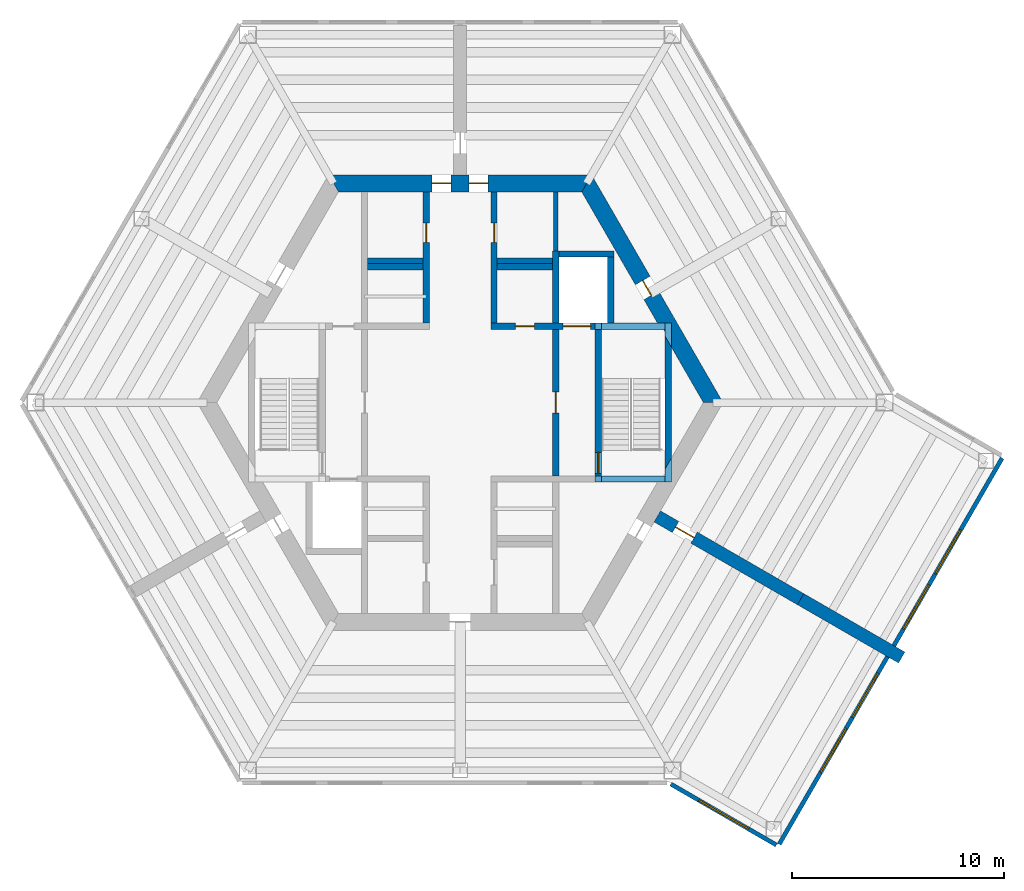
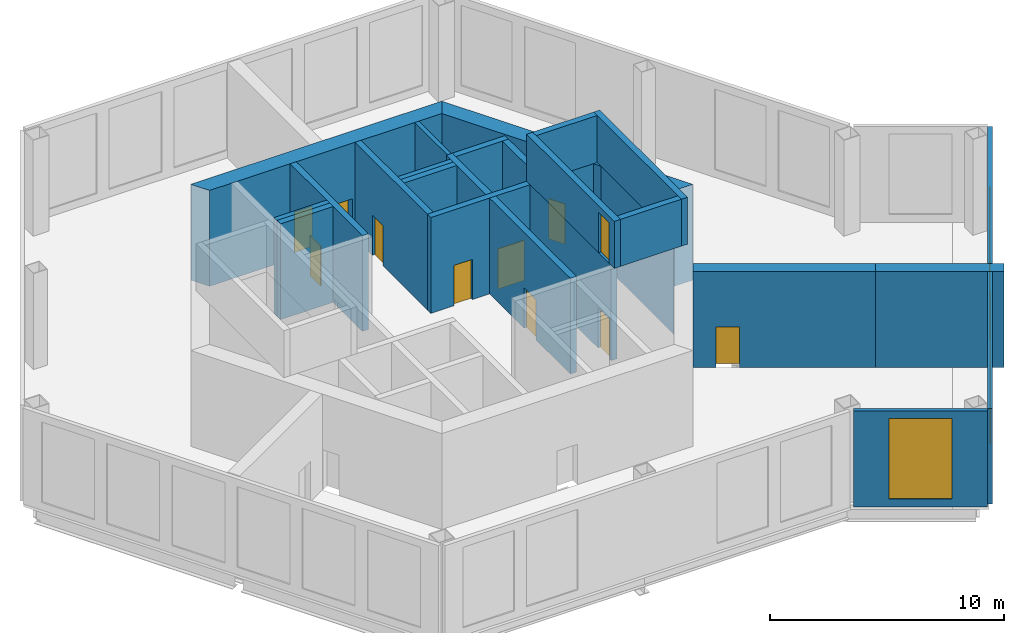
# One storey, part 5 of 8: 25 walls, 11 doors, 5 windows, 16 openings.
"""IFC4 building model written with IfcOpenShell, lengths in metres."""

from ifc_helpers import new_model, si_unit, direction, frame, frame_2d, origin, place, context, subcontext, project, spatial, polyline, rectangle, outline, extrude, material, layer, layer_set, type_object, element, fill, save


model = new_model("IFC4")

# Units and contexts
model_context = context("Model", 3, precision=1e-05, world=origin(), true_north=direction((0.0, 1.0)))
body_context = subcontext(model_context, "Body", "Model", "MODEL_VIEW")
ifc_project = project(units=[si_unit("LENGTHUNIT", "METRE"), si_unit("AREAUNIT", "SQUARE_METRE"), si_unit("VOLUMEUNIT", "CUBIC_METRE"), si_unit("PLANEANGLEUNIT", "RADIAN"), si_unit("MASSUNIT", "GRAM", prefix="KILO")], contexts=[model_context])

# Site, building, storey
site_placement = place(None, origin())
site = spatial("IfcSite", under=ifc_project, at=site_placement, CompositionType="ELEMENT")
building_placement = place(site_placement, origin())
building = spatial("IfcBuilding", under=site, at=building_placement, Name="Kasaneha Research Tower", CompositionType="ELEMENT")
storey_placement = place(building_placement, frame((0.0, 0.0, 302.5)))
storey = spatial("IfcBuildingStorey", under=building, at=storey_placement, Name="L76", CompositionType="ELEMENT", Elevation=302.5)

# Wall, openings, doors
ifc_material_1 = material(Name="Concrete Fc60", Category="concrete")
ifc_layer_1 = layer(ifc_material_1, 0.300048828125)
ifc_layer_set_1 = layer_set([ifc_layer_1], Name="Core internal wall 300 Fc60")
wall_type_1 = type_object("IfcWallType", Name="Core internal wall 300 Fc60", PredefinedType="SHEAR", material=ifc_layer_set_1)
wall_1_placement = place(storey_placement, frame((1.449951171875, 3.60009765625, 0.0), z_axis=(0.0, 0.0, 1.0), x_axis=(1.0, 0.0, 0.0)))
wall_1 = element("IfcWall", 1, at=wall_1_placement, inside=storey, type_object=wall_type_1, Name="Core wall W1E L76", PredefinedType="SHEAR", context=body_context, shape_type="SweptSolid", body=[
    extrude(outline(polyline([(0.0, -0.14990234375), (1.14990234375, -0.14990234375), (2.0498046875, -0.14990234375), (3.39990234375, -0.14990234375), (4.699951171875, -0.14990234375), (8.0185546875, -0.14990234375), (7.84521484375, 0.14990234375), (4.699951171875, 0.14990234375), (3.39990234375, 0.14990234375), (2.0498046875, 0.14990234375), (1.14990234375, 0.14990234375), (0.0, 0.14990234375), (0.0, -0.14990234375)])), origin(), (0.0, 0.0, 1.0), 5.0),
])
opening_1_placement = place(wall_1_placement, frame((1.14990234375, 0.0, 0.0)))
opening_1 = element("IfcOpeningElement", 2, at=opening_1_placement, cuts=wall_1, Name="Opening L76-D17", PredefinedType="OPENING", context=body_context, shape_type="SweptSolid", body=[
    extrude(rectangle(XDim=0.89990234375, YDim=2.10009765625, at=frame_2d((0.449951171875, 1.050048828125))), frame((0.0, 0.16015625, 0.0), z_axis=(0.0, -1.0, 0.0), x_axis=(1.0, 0.0, 0.0)), (0.0, 0.0, 1.0), 0.320068359375),
])
opening_2_placement = place(wall_1_placement, frame((3.39990234375, 0.0, 0.0)))
opening_2 = element("IfcOpeningElement", 3, at=opening_2_placement, cuts=wall_1, Name="Opening LD-FL1-L76", PredefinedType="OPENING", context=body_context, shape_type="SweptSolid", body=[
    extrude(rectangle(XDim=1.300048828125, YDim=2.10009765625, at=frame_2d((0.64990234375, 1.050048828125))), frame((0.0, 0.16015625, 0.0), z_axis=(0.0, -1.0, 0.0), x_axis=(1.0, 0.0, 0.0)), (0.0, 0.0, 1.0), 0.320068359375),
])
ifc_material_2 = material(Name="Steel", Category="steel")
door_type_1 = type_object("IfcDoorType", Name="Lift landing door 1300x2100", OperationType="DOUBLE_DOOR_SLIDING", PredefinedType="DOOR", material=ifc_material_2)
door_1_placement = place(opening_2_placement, origin())
door_1 = element("IfcDoor", 4, at=door_1_placement, inside=storey, type_object=door_type_1, Name="Landing door FL1 LD-FL1-L76", OperationType="DOUBLE_DOOR_SLIDING", OverallHeight=2.10009765625, OverallWidth=1.300048828125, PredefinedType="DOOR", context=body_context, shape_type="SweptSolid", body=[
    extrude(rectangle(XDim=1.300048828125, YDim=2.10009765625, at=frame_2d((0.64990234375, 1.050048828125))), frame((0.0, 0.02490234375, 0.0), z_axis=(0.0, -1.0, 0.0), x_axis=(1.0, 0.0, 0.0)), (0.0, 0.0, 1.0), 0.050048828125),
])
fill(opening_2, door_1)
ifc_material_3 = material(Name="Steel", Category="steel")
door_type_2 = type_object("IfcDoorType", Name="Shaft room door FD60 900x2100", OperationType="NOTDEFINED", PredefinedType="DOOR", material=ifc_material_3)
door_2_placement = place(opening_1_placement, origin())
door_2 = element("IfcDoor", 5, at=door_2_placement, inside=storey, type_object=door_type_2, Name="Spare-parts store door L76-D17", OperationType="SINGLE_SWING_LEFT", OverallHeight=2.10009765625, OverallWidth=0.89990234375, PredefinedType="DOOR", context=body_context, shape_type="SweptSolid", body=[
    extrude(rectangle(XDim=0.89990234375, YDim=2.10009765625, at=frame_2d((0.449951171875, 1.050048828125))), frame((0.0, 0.02490234375, 0.0), z_axis=(0.0, -1.0, 0.0), x_axis=(1.0, 0.0, 0.0)), (0.0, 0.0, 1.0), 0.050048828125),
])
fill(opening_1, door_2)

# Wall, opening, door
wall_2_placement = place(storey_placement, frame((-1.60009765625, 3.75, 0.0), z_axis=(0.0, 0.0, 1.0), x_axis=(0.0, 1.0, 0.0)))
wall_2 = element("IfcWall", 6, at=wall_2_placement, inside=storey, type_object=wall_type_1, Name="Core wall CNW L76", PredefinedType="SHEAR", context=body_context, shape_type="SweptSolid", body=[
    extrude(rectangle(XDim=6.175048828125, YDim=0.300048828125, at=frame_2d((3.08740234375, 0.0))), origin(), (0.0, 0.0, 1.0), 5.0),
])
opening_3_placement = place(wall_2_placement, frame((3.800048828125, 0.0, 0.0)))
opening_3 = element("IfcOpeningElement", 7, at=opening_3_placement, cuts=wall_2, Name="Opening L76-D13", PredefinedType="OPENING", context=body_context, shape_type="SweptSolid", body=[
    extrude(rectangle(XDim=0.89990234375, YDim=2.10009765625, at=frame_2d((0.449951171875, 1.050048828125))), frame((0.0, 0.16015625, 0.0), z_axis=(0.0, -1.0, 0.0), x_axis=(1.0, 0.0, 0.0)), (0.0, 0.0, 1.0), 0.320068359375),
])
ifc_material_4 = material(Name="Steel", Category="steel")
door_type_3 = type_object("IfcDoorType", Name="Toilet door FD20 900x2100", OperationType="NOTDEFINED", PredefinedType="DOOR", material=ifc_material_4)
door_3_placement = place(opening_3_placement, origin())
door_3 = element("IfcDoor", 8, at=door_3_placement, inside=storey, type_object=door_type_3, Name="Men's WC door L76-D13", OperationType="SINGLE_SWING_LEFT", OverallHeight=2.10009765625, OverallWidth=0.89990234375, PredefinedType="DOOR", context=body_context, shape_type="SweptSolid", body=[
    extrude(rectangle(XDim=0.89990234375, YDim=2.10009765625, at=frame_2d((0.449951171875, 1.050048828125))), frame((0.0, 0.02490234375, 0.0), z_axis=(0.0, -1.0, 0.0), x_axis=(1.0, 0.0, 0.0)), (0.0, 0.0, 1.0), 0.050048828125),
])
fill(opening_3, door_3)

wall_3_placement = place(storey_placement, frame((1.60009765625, 3.75, 0.0), z_axis=(0.0, 0.0, 1.0), x_axis=(0.0, 1.0, 0.0)))
wall_3 = element("IfcWall", 9, at=wall_3_placement, inside=storey, type_object=wall_type_1, Name="Core wall CNE L76", PredefinedType="SHEAR", context=body_context, shape_type="SweptSolid", body=[
    extrude(rectangle(XDim=6.175048828125, YDim=0.300048828125, at=frame_2d((3.08740234375, 0.0))), origin(), (0.0, 0.0, 1.0), 5.0),
])
opening_4_placement = place(wall_3_placement, frame((3.800048828125, 0.0, 0.0)))
opening_4 = element("IfcOpeningElement", 10, at=opening_4_placement, cuts=wall_3, Name="Opening L76-D14", PredefinedType="OPENING", context=body_context, shape_type="SweptSolid", body=[
    extrude(rectangle(XDim=0.89990234375, YDim=2.10009765625, at=frame_2d((0.449951171875, 1.050048828125))), frame((0.0, 0.16015625, 0.0), z_axis=(0.0, -1.0, 0.0), x_axis=(1.0, 0.0, 0.0)), (0.0, 0.0, 1.0), 0.320068359375),
])
door_4_placement = place(opening_4_placement, origin())
door_4 = element("IfcDoor", 11, at=door_4_placement, inside=storey, type_object=door_type_3, Name="Women's WC door L76-D14", OperationType="SINGLE_SWING_LEFT", OverallHeight=2.10009765625, OverallWidth=0.89990234375, PredefinedType="DOOR", context=body_context, shape_type="SweptSolid", body=[
    extrude(rectangle(XDim=0.89990234375, YDim=2.10009765625, at=frame_2d((0.449951171875, 1.050048828125))), frame((0.0, 0.02490234375, 0.0), z_axis=(0.0, -1.0, 0.0), x_axis=(1.0, 0.0, 0.0)), (0.0, 0.0, 1.0), 0.050048828125),
])
fill(opening_4, door_4)

wall_4_placement = place(storey_placement, frame((4.5, -3.449951171875, 0.0), z_axis=(0.0, 0.0, 1.0), x_axis=(0.0, 1.0, 0.0)))
wall_4 = element("IfcWall", 12, at=wall_4_placement, inside=storey, type_object=wall_type_1, Name="Core wall LBE L76", PredefinedType="SHEAR", context=body_context, shape_type="SweptSolid", body=[
    extrude(rectangle(XDim=6.89990234375, YDim=0.300048828125, at=frame_2d((3.449951171875, 0.0))), origin(), (0.0, 0.0, 1.0), 5.0),
])
opening_5_placement = place(wall_4_placement, frame((2.949951171875, 0.0, 0.0)))
opening_5 = element("IfcOpeningElement", 13, at=opening_5_placement, cuts=wall_4, Name="Opening L76-D08", PredefinedType="OPENING", context=body_context, shape_type="SweptSolid", body=[
    extrude(rectangle(XDim=1.0, YDim=2.10009765625, at=frame_2d((0.5, 1.050048828125))), frame((0.0, 0.16015625, 0.0), z_axis=(0.0, -1.0, 0.0), x_axis=(1.0, 0.0, 0.0)), (0.0, 0.0, 1.0), 0.320068359375),
])
ifc_material_5 = material(Name="Steel", Category="steel")
door_type_4 = type_object("IfcDoorType", Name="Specified fire door FD60 1000x2100", OperationType="NOTDEFINED", PredefinedType="DOOR", material=ifc_material_5)
door_5_placement = place(opening_5_placement, origin())
door_5 = element("IfcDoor", 14, at=door_5_placement, inside=storey, type_object=door_type_4, Name="Lift lobby door east L76-D08", OperationType="SINGLE_SWING_LEFT", OverallHeight=2.10009765625, OverallWidth=1.0, PredefinedType="DOOR", context=body_context, shape_type="SweptSolid", body=[
    extrude(rectangle(XDim=1.0, YDim=2.10009765625, at=frame_2d((0.5, 1.050048828125))), frame((0.0, 0.02490234375, 0.0), z_axis=(0.0, -1.0, 0.0), x_axis=(1.0, 0.0, 0.0)), (0.0, 0.0, 1.0), 0.050048828125),
])
fill(opening_5, door_5)

wall_5_placement = place(storey_placement, frame((6.5, -3.449951171875, 0.0), z_axis=(0.0, 0.0, 1.0), x_axis=(0.0, 1.0, 0.0)))
wall_5 = element("IfcWall", 15, at=wall_5_placement, inside=storey, type_object=wall_type_1, Name="Core wall ANE L76", PredefinedType="SHEAR", context=body_context, shape_type="SweptSolid", body=[
    extrude(rectangle(XDim=6.89990234375, YDim=0.300048828125, at=frame_2d((3.449951171875, 0.0))), origin(), (0.0, 0.0, 1.0), 5.0),
])
opening_6_placement = place(wall_5_placement, frame((0.10009765625, 0.0, 0.0)))
opening_6 = element("IfcOpeningElement", 16, at=opening_6_placement, cuts=wall_5, Name="Opening L76-D10", PredefinedType="OPENING", context=body_context, shape_type="SweptSolid", body=[
    extrude(rectangle(XDim=1.0, YDim=2.10009765625, at=frame_2d((0.5, 1.050048828125))), frame((0.0, 0.16015625, 0.0), z_axis=(0.0, -1.0, 0.0), x_axis=(1.0, 0.0, 0.0)), (0.0, 0.0, 1.0), 0.320068359375),
])
door_6_placement = place(opening_6_placement, origin())
door_6 = element("IfcDoor", 17, at=door_6_placement, inside=storey, type_object=door_type_4, Name="Stair 1 door L76-D10", OperationType="SINGLE_SWING_LEFT", OverallHeight=2.10009765625, OverallWidth=1.0, PredefinedType="DOOR", context=body_context, shape_type="SweptSolid", body=[
    extrude(rectangle(XDim=1.0, YDim=2.10009765625, at=frame_2d((0.5, 1.050048828125))), frame((0.0, 0.02490234375, 0.0), z_axis=(0.0, -1.0, 0.0), x_axis=(1.0, 0.0, 0.0)), (0.0, 0.0, 1.0), 0.050048828125),
])
fill(opening_6, door_6)

# Walls
wall_6_placement = place(storey_placement, frame((4.5, 3.75, 0.0), z_axis=(0.0, 0.0, 1.0), x_axis=(0.0, 1.0, 0.0)))
element("IfcWall", 18, at=wall_6_placement, inside=storey, type_object=wall_type_1, Name="Core wall FNE L76", PredefinedType="SHEAR", context=body_context, shape_type="SweptSolid", body=[
    extrude(rectangle(XDim=3.39990234375, YDim=0.300048828125, at=frame_2d((1.699951171875, 0.0))), origin(), (0.0, 0.0, 1.0), 5.0),
])
for number, where, z_axis, x_axis, name in (
    (19, (-4.35009765625, 6.39990234375, 0.0), (0.0, 0.0, 1.0), (1.0, 0.0, 0.0), "Core wall N1N L76"),
    (20, (1.75, 6.39990234375, 0.0), (0.0, 0.0, 1.0), (1.0, 0.0, 0.0), "Core wall N3N L76"),
    (21, (4.64990234375, 7.0, 0.0), (0.0, 0.0, 1.0), (1.0, 0.0, 0.0), "Core wall F1N L76"),
):
    element("IfcWall", number, at=place(storey_placement, frame(where, z_axis=z_axis, x_axis=x_axis)), inside=storey, type_object=wall_type_1, Name=name, PredefinedType="SHEAR", context=body_context, shape_type="SweptSolid", body=[
        extrude(rectangle(XDim=2.60009765625, YDim=0.300048828125, at=frame_2d((1.300048828125, 0.0))), origin(), (0.0, 0.0, 1.0), 5.0),
    ])
wall_7_placement = place(storey_placement, frame((7.10009765625, 3.75, 0.0), z_axis=(0.0, 0.0, 1.0), x_axis=(0.0, 1.0, 0.0)))
element("IfcWall", 22, at=wall_7_placement, inside=storey, type_object=wall_type_1, Name="Core wall F1E L76", PredefinedType="SHEAR", context=body_context, shape_type="SweptSolid", body=[
    extrude(rectangle(XDim=3.10009765625, YDim=0.300048828125, at=frame_2d((1.550048828125, 0.0))), origin(), (0.0, 0.0, 1.0), 5.0),
])
wall_8_placement = place(storey_placement, frame((9.807861328125, -2.8623046875, 0.0), z_axis=(0.0, 0.0, 1.0), x_axis=(0.0, 1.0, 0.0)))
element("IfcWall", 23, at=wall_8_placement, inside=storey, type_object=wall_type_1, Name="Core wall STE L76", PredefinedType="SHEAR", context=body_context, shape_type="SweptSolid", body=[
    extrude(outline(polyline([(0.259765625, -0.14990234375), (5.46484375, -0.14990234375), (5.984375, 0.14990234375), (-0.259765625, 0.14990234375), (0.259765625, -0.14990234375)])), origin(), (0.0, 0.0, 1.0), 5.0),
])

# Wall, opening, door
ifc_material_6 = material(Name="Concrete Fc60", Category="concrete")
ifc_layer_2 = layer(ifc_material_6, 0.800048828125)
ifc_layer_set_2 = layer_set([ifc_layer_2], Name="Core wall 800 Fc60")
wall_type_2 = type_object("IfcWallType", Name="Core wall 800 Fc60", PredefinedType="SHEAR", material=ifc_layer_set_2)
wall_9_placement = place(storey_placement, frame((11.92236328125, 0.0, 0.0), z_axis=(0.0, 0.0, 1.0), x_axis=(-0.500004296715, 0.866022923061, 0.0)))
wall_9 = element("IfcWall", 24, at=wall_9_placement, inside=storey, type_object=wall_type_2, Name="Core wall 030 L76", PredefinedType="SHEAR", context=body_context, shape_type="SweptSolid", body=[
    extrude(outline(polyline([(-0.23095703125, -0.39990234375), (5.83544921875, -0.39990234375), (6.635498046875, -0.39990234375), (12.1533203125, -0.39990234375), (11.69140625, 0.39990234375), (6.635498046875, 0.39990234375), (5.83544921875, 0.39990234375), (0.23095703125, 0.39990234375), (-0.23095703125, -0.39990234375)])), origin(), (0.0, 0.0, 1.0), 5.0),
])
opening_7_placement = place(wall_9_placement, frame((5.83544921875, 0.0, 0.0)))
opening_7 = element("IfcOpeningElement", 25, at=opening_7_placement, cuts=wall_9, Name="Opening L76-D04", PredefinedType="OPENING", context=body_context, shape_type="SweptSolid", body=[
    extrude(rectangle(XDim=0.800048828125, YDim=2.10009765625, at=frame_2d((0.39990234375, 1.050048828125))), frame((0.0, 0.41015625, 0.0), z_axis=(0.0, -1.0, 0.0), x_axis=(1.0, 0.0, 0.0)), (0.0, 0.0, 1.0), 0.820068359375),
])
ifc_material_7 = material(Name="Steel", Category="steel")
door_type_5 = type_object("IfcDoorType", Name="Riser access door FD60 800x2100", OperationType="NOTDEFINED", PredefinedType="DOOR", material=ifc_material_7)
door_7_placement = place(opening_7_placement, origin())
door_7 = element("IfcDoor", 26, at=door_7_placement, inside=storey, type_object=door_type_5, Name="Pipe riser door L76-D04", OperationType="SINGLE_SWING_LEFT", OverallHeight=2.10009765625, OverallWidth=0.800048828125, PredefinedType="DOOR", context=body_context, shape_type="SweptSolid", body=[
    extrude(rectangle(XDim=0.800048828125, YDim=2.10009765625, at=frame_2d((0.39990234375, 1.050048828125))), frame((0.0, 0.02490234375, 0.0), z_axis=(0.0, -1.0, 0.0), x_axis=(1.0, 0.0, 0.0)), (0.0, 0.0, 1.0), 0.050048828125),
])
fill(opening_7, door_7)

# Wall, openings, doors
wall_10_placement = place(storey_placement, frame((5.961181640625, 10.324951171875, 0.0), z_axis=(0.0, 0.0, 1.0), x_axis=(-1.0, 0.0, 0.0)))
wall_10 = element("IfcWall", 27, at=wall_10_placement, inside=storey, type_object=wall_type_2, Name="Core wall 090 L76", PredefinedType="SHEAR", context=body_context, shape_type="SweptSolid", body=[
    extrude(outline(polyline([(-0.23095703125, -0.39990234375), (4.63623046875, -0.39990234375), (5.5361328125, -0.39990234375), (6.38623046875, -0.39990234375), (7.2861328125, -0.39990234375), (12.1533203125, -0.39990234375), (11.69140625, 0.39990234375), (7.2861328125, 0.39990234375), (6.38623046875, 0.39990234375), (5.5361328125, 0.39990234375), (4.63623046875, 0.39990234375), (0.23095703125, 0.39990234375), (-0.23095703125, -0.39990234375)])), origin(), (0.0, 0.0, 1.0), 5.0),
])
opening_8_placement = place(wall_10_placement, frame((6.38623046875, 0.0, 0.0)))
opening_8 = element("IfcOpeningElement", 28, at=opening_8_placement, cuts=wall_10, Name="Opening L76-D01", PredefinedType="OPENING", context=body_context, shape_type="SweptSolid", body=[
    extrude(rectangle(XDim=0.89990234375, YDim=2.10009765625, at=frame_2d((0.449951171875, 1.050048828125))), frame((0.0, 0.41015625, 0.0), z_axis=(0.0, -1.0, 0.0), x_axis=(1.0, 0.0, 0.0)), (0.0, 0.0, 1.0), 0.820068359375),
])
opening_9_placement = place(wall_10_placement, frame((4.63623046875, 0.0, 0.0)))
opening_9 = element("IfcOpeningElement", 29, at=opening_9_placement, cuts=wall_10, Name="Opening L76-D02", PredefinedType="OPENING", context=body_context, shape_type="SweptSolid", body=[
    extrude(rectangle(XDim=0.89990234375, YDim=2.10009765625, at=frame_2d((0.449951171875, 1.050048828125))), frame((0.0, 0.41015625, 0.0), z_axis=(0.0, -1.0, 0.0), x_axis=(1.0, 0.0, 0.0)), (0.0, 0.0, 1.0), 0.820068359375),
])
door_8_placement = place(opening_8_placement, origin())
door_8 = element("IfcDoor", 30, at=door_8_placement, inside=storey, type_object=door_type_3, Name="Core door north 1 L76-D01", OperationType="SINGLE_SWING_RIGHT", OverallHeight=2.10009765625, OverallWidth=0.89990234375, PredefinedType="DOOR", context=body_context, shape_type="SweptSolid", body=[
    extrude(rectangle(XDim=0.89990234375, YDim=2.10009765625, at=frame_2d((0.449951171875, 1.050048828125))), frame((0.0, 0.02490234375, 0.0), z_axis=(0.0, -1.0, 0.0), x_axis=(1.0, 0.0, 0.0)), (0.0, 0.0, 1.0), 0.050048828125),
])
fill(opening_8, door_8)
door_9_placement = place(opening_9_placement, origin())
door_9 = element("IfcDoor", 31, at=door_9_placement, inside=storey, type_object=door_type_3, Name="Core door north 2 L76-D02", OperationType="SINGLE_SWING_LEFT", OverallHeight=2.10009765625, OverallWidth=0.89990234375, PredefinedType="DOOR", context=body_context, shape_type="SweptSolid", body=[
    extrude(rectangle(XDim=0.89990234375, YDim=2.10009765625, at=frame_2d((0.449951171875, 1.050048828125))), frame((0.0, 0.02490234375, 0.0), z_axis=(0.0, -1.0, 0.0), x_axis=(1.0, 0.0, 0.0)), (0.0, 0.0, 1.0), 0.050048828125),
])
fill(opening_9, door_9)

# Wall, opening, window
ifc_material_8 = material(Name="Terracotta cladding on steel frame", Category="masonry")
ifc_layer_3 = layer(ifc_material_8, 0.199951171875)
ifc_layer_set_3 = layer_set([ifc_layer_3], Name="Louvred plant wall 200")
wall_type_3 = type_object("IfcWallType", Name="Louvred plant wall 200", PredefinedType="ELEMENTEDWALL", material=ifc_layer_set_3)
wall_11_placement = place(storey_placement, frame((9.92578125, -17.970458984375, 0.0), z_axis=(0.0, 0.0, 1.0), x_axis=(0.86603045308, -0.499991254261, 0.0)))
wall_11 = element("IfcWall", 32, at=wall_11_placement, inside=storey, type_object=wall_type_3, Name="Louvred plant wall L76", PredefinedType="ELEMENTEDWALL", context=body_context, shape_type="SweptSolid", body=[
    extrude(rectangle(XDim=5.7392578125, YDim=0.199951171875, at=frame_2d((2.86962890625, 0.0))), origin(), (0.0, 0.0, 1.0), 5.0),
])
opening_10_placement = place(wall_11_placement, frame((1.51953125, 0.0, 0.39990234375)))
opening_10 = element("IfcOpeningElement", 33, at=opening_10_placement, cuts=wall_11, Name="Opening LV3", PredefinedType="OPENING", context=body_context, shape_type="SweptSolid", body=[
    extrude(rectangle(XDim=2.699951171875, YDim=4.199951171875, at=frame_2d((1.35009765625, 2.10009765625))), frame((0.0, 0.10986328125, 0.0), z_axis=(0.0, -1.0, 0.0), x_axis=(1.0, 0.0, 0.0)), (0.0, 0.0, 1.0), 0.219970703125),
])
ifc_material_9 = material(Name="Aluminium 6063-T6", Category="aluminium")
window_type_1 = type_object("IfcWindowType", Name="Louvre 2700x4200", PartitioningType="SINGLE_PANEL", PredefinedType="USERDEFINED", material=ifc_material_9)
window_1_placement = place(opening_10_placement, origin())
window_1 = element("IfcWindow", 34, at=window_1_placement, inside=storey, type_object=window_type_1, Name="Plant louvre L76 1", ObjectType="LOUVRE", OverallHeight=4.199951171875, OverallWidth=2.699951171875, PartitioningType="SINGLE_PANEL", PredefinedType="USERDEFINED", context=body_context, shape_type="SweptSolid", body=[
    extrude(rectangle(XDim=2.699951171875, YDim=4.199951171875, at=frame_2d((1.35009765625, 2.10009765625))), frame((0.0, 0.030029296875, 0.0), z_axis=(0.0, -1.0, 0.0), x_axis=(1.0, 0.0, 0.0)), (0.0, 0.0, 1.0), 0.06005859375),
])
fill(opening_10, window_1)

# Wall, openings, windows
wall_12_placement = place(storey_placement, frame((15.03271484375, -20.803466796875, 0.0), z_axis=(0.0, 0.0, 1.0), x_axis=(0.500005610874, 0.86602216432, 0.0)))
wall_12 = element("IfcWall", 35, at=wall_12_placement, inside=storey, type_object=wall_type_3, Name="Louvred plant wall L76", PredefinedType="ELEMENTEDWALL", context=body_context, shape_type="SweptSolid", body=[
    extrude(rectangle(XDim=10.2001953125, YDim=0.199951171875, at=frame_2d((5.10009765625, 0.0))), origin(), (0.0, 0.0, 1.0), 5.0),
])
opening_11_placement = place(wall_12_placement, frame((3.89990234375, 0.0, 0.39990234375)))
opening_11 = element("IfcOpeningElement", 36, at=opening_11_placement, cuts=wall_12, Name="Opening LV8", PredefinedType="OPENING", context=body_context, shape_type="SweptSolid", body=[
    extrude(rectangle(XDim=2.39990234375, YDim=4.199951171875, at=frame_2d((1.199951171875, 2.10009765625))), frame((0.0, 0.10986328125, 0.0), z_axis=(0.0, -1.0, 0.0), x_axis=(1.0, 0.0, 0.0)), (0.0, 0.0, 1.0), 0.219970703125),
])
opening_12_placement = place(wall_12_placement, frame((6.89990234375, 0.0, 0.39990234375)))
opening_12 = element("IfcOpeningElement", 37, at=opening_12_placement, cuts=wall_12, Name="Opening LV8", PredefinedType="OPENING", context=body_context, shape_type="SweptSolid", body=[
    extrude(rectangle(XDim=2.39990234375, YDim=4.199951171875, at=frame_2d((1.199951171875, 2.10009765625))), frame((0.0, 0.10986328125, 0.0), z_axis=(0.0, -1.0, 0.0), x_axis=(1.0, 0.0, 0.0)), (0.0, 0.0, 1.0), 0.219970703125),
])
ifc_material_10 = material(Name="Aluminium 6063-T6", Category="aluminium")
window_type_2 = type_object("IfcWindowType", Name="Louvre 2400x4200", PartitioningType="SINGLE_PANEL", PredefinedType="USERDEFINED", material=ifc_material_10)
window_2_placement = place(opening_11_placement, origin())
window_2 = element("IfcWindow", 38, at=window_2_placement, inside=storey, type_object=window_type_2, Name="Plant louvre L76 2", ObjectType="LOUVRE", OverallHeight=4.199951171875, OverallWidth=2.39990234375, PartitioningType="SINGLE_PANEL", PredefinedType="USERDEFINED", context=body_context, shape_type="SweptSolid", body=[
    extrude(rectangle(XDim=2.39990234375, YDim=4.199951171875, at=frame_2d((1.199951171875, 2.10009765625))), frame((0.0, 0.030029296875, 0.0), z_axis=(0.0, -1.0, 0.0), x_axis=(1.0, 0.0, 0.0)), (0.0, 0.0, 1.0), 0.06005859375),
])
fill(opening_11, window_2)
window_3_placement = place(opening_12_placement, origin())
window_3 = element("IfcWindow", 39, at=window_3_placement, inside=storey, type_object=window_type_2, Name="Plant louvre L76 3", ObjectType="LOUVRE", OverallHeight=4.199951171875, OverallWidth=2.39990234375, PartitioningType="SINGLE_PANEL", PredefinedType="USERDEFINED", context=body_context, shape_type="SweptSolid", body=[
    extrude(rectangle(XDim=2.39990234375, YDim=4.199951171875, at=frame_2d((1.199951171875, 2.10009765625))), frame((0.0, 0.030029296875, 0.0), z_axis=(0.0, -1.0, 0.0), x_axis=(1.0, 0.0, 0.0)), (0.0, 0.0, 1.0), 0.06005859375),
])
fill(opening_12, window_3)

wall_13_placement = place(storey_placement, frame((20.432861328125, -11.450439453125, 0.0), z_axis=(0.0, 0.0, 1.0), x_axis=(0.499987659312, 0.866032528567, 0.0)))
wall_13 = element("IfcWall", 40, at=wall_13_placement, inside=storey, type_object=wall_type_3, Name="Louvred plant wall L76", PredefinedType="ELEMENTEDWALL", context=body_context, shape_type="SweptSolid", body=[
    extrude(rectangle(XDim=10.199951171875, YDim=0.199951171875, at=frame_2d((5.10009765625, 0.0))), origin(), (0.0, 0.0, 1.0), 5.0),
])
opening_13_placement = place(wall_13_placement, frame((0.89990234375, 0.0, 0.39990234375)))
opening_13 = element("IfcOpeningElement", 41, at=opening_13_placement, cuts=wall_13, Name="Opening LV8", PredefinedType="OPENING", context=body_context, shape_type="SweptSolid", body=[
    extrude(rectangle(XDim=2.39990234375, YDim=4.199951171875, at=frame_2d((1.199951171875, 2.10009765625))), frame((0.0, 0.10986328125, 0.0), z_axis=(0.0, -1.0, 0.0), x_axis=(1.0, 0.0, 0.0)), (0.0, 0.0, 1.0), 0.219970703125),
])
opening_14_placement = place(wall_13_placement, frame((3.89990234375, 0.0, 0.39990234375)))
opening_14 = element("IfcOpeningElement", 42, at=opening_14_placement, cuts=wall_13, Name="Opening LV8", PredefinedType="OPENING", context=body_context, shape_type="SweptSolid", body=[
    extrude(rectangle(XDim=2.39990234375, YDim=4.199951171875, at=frame_2d((1.199951171875, 2.10009765625))), frame((0.0, 0.10986328125, 0.0), z_axis=(0.0, -1.0, 0.0), x_axis=(1.0, 0.0, 0.0)), (0.0, 0.0, 1.0), 0.219970703125),
])
window_4_placement = place(opening_13_placement, origin())
window_4 = element("IfcWindow", 43, at=window_4_placement, inside=storey, type_object=window_type_2, Name="Plant louvre L76 1", ObjectType="LOUVRE", OverallHeight=4.199951171875, OverallWidth=2.39990234375, PartitioningType="SINGLE_PANEL", PredefinedType="USERDEFINED", context=body_context, shape_type="SweptSolid", body=[
    extrude(rectangle(XDim=2.39990234375, YDim=4.199951171875, at=frame_2d((1.199951171875, 2.10009765625))), frame((0.0, 0.030029296875, 0.0), z_axis=(0.0, -1.0, 0.0), x_axis=(1.0, 0.0, 0.0)), (0.0, 0.0, 1.0), 0.06005859375),
])
fill(opening_13, window_4)
window_5_placement = place(opening_14_placement, origin())
window_5 = element("IfcWindow", 44, at=window_5_placement, inside=storey, type_object=window_type_2, Name="Plant louvre L76 2", ObjectType="LOUVRE", OverallHeight=4.199951171875, OverallWidth=2.39990234375, PartitioningType="SINGLE_PANEL", PredefinedType="USERDEFINED", context=body_context, shape_type="SweptSolid", body=[
    extrude(rectangle(XDim=2.39990234375, YDim=4.199951171875, at=frame_2d((1.199951171875, 2.10009765625))), frame((0.0, 0.030029296875, 0.0), z_axis=(0.0, -1.0, 0.0), x_axis=(1.0, 0.0, 0.0)), (0.0, 0.0, 1.0), 0.06005859375),
])
fill(opening_14, window_5)

# Wall
ifc_material_11 = material(Name="Concrete block", Category="concrete")
ifc_layer_4 = layer(ifc_material_11, 0.199951171875)
ifc_layer_set_4 = layer_set([ifc_layer_4], Name="Riser enclosure wall 200")
wall_type_4 = type_object("IfcWallType", Name="Riser enclosure wall 200", PredefinedType="STANDARD", material=ifc_layer_set_4)
wall_14_placement = place(storey_placement, frame((4.5, 7.14990234375, 0.0), z_axis=(0.0, 0.0, 1.0), x_axis=(0.0, 1.0, 0.0)))
element("IfcWall", 45, at=wall_14_placement, inside=storey, type_object=wall_type_4, Name="Riser enclosure wall L76", PredefinedType="STANDARD", context=body_context, shape_type="SweptSolid", body=[
    extrude(rectangle(XDim=2.775146484375, YDim=0.199951171875, at=frame_2d((1.3876953125, 0.0))), origin(), (0.0, 0.0, 1.0), 5.0),
])

# Wall, opening, door
ifc_material_12 = material(Name="Concrete Fc60", Category="concrete")
ifc_layer_5 = layer(ifc_material_12, 0.60009765625)
ifc_layer_set_5 = layer_set([ifc_layer_5], Name="Spine wall 600 Fc60")
wall_type_5 = type_object("IfcWallType", Name="Spine wall 600 Fc60", PredefinedType="SHEAR", material=ifc_layer_set_5)
wall_15_placement = place(storey_placement, frame((9.2880859375, -5.362548828125, 0.0), z_axis=(0.0, 0.0, 1.0), x_axis=(0.866031736626, -0.499989031036, 0.0)))
wall_15 = element("IfcWall", 46, at=wall_15_placement, inside=storey, type_object=wall_type_5, Name="Spine wall C L76", PredefinedType="SHEAR", context=body_context, shape_type="SweptSolid", body=[
    extrude(rectangle(XDim=7.795654296875, YDim=0.60009765625, at=frame_2d((3.89794921875, 0.0))), origin(), (0.0, 0.0, 1.0), 5.0),
])
opening_15_placement = place(wall_15_placement, frame((1.0, 0.0, 0.0)))
opening_15 = element("IfcOpeningElement", 47, at=opening_15_placement, cuts=wall_15, Name="Opening L76-D20", PredefinedType="OPENING", context=body_context, shape_type="SweptSolid", body=[
    extrude(rectangle(XDim=1.0, YDim=2.10009765625, at=frame_2d((0.5, 1.050048828125))), frame((0.0, 0.31005859375, 0.0), z_axis=(0.0, -1.0, 0.0), x_axis=(1.0, 0.0, 0.0)), (0.0, 0.0, 1.0), 0.6201171875),
])
door_10_placement = place(opening_15_placement, origin())
door_10 = element("IfcDoor", 48, at=door_10_placement, inside=storey, type_object=door_type_4, Name="Spine doorway C L76-D20", OperationType="SINGLE_SWING_LEFT", OverallHeight=2.10009765625, OverallWidth=1.0, PredefinedType="DOOR", context=body_context, shape_type="SweptSolid", body=[
    extrude(rectangle(XDim=1.0, YDim=2.10009765625, at=frame_2d((0.5, 1.050048828125))), frame((0.0, 0.02490234375, 0.0), z_axis=(0.0, -1.0, 0.0), x_axis=(1.0, 0.0, 0.0)), (0.0, 0.0, 1.0), 0.050048828125),
])
fill(opening_15, door_10)

# Wall
wall_16_placement = place(storey_placement, frame((16.039306640625, -9.26025390625, 0.0), z_axis=(0.0, 0.0, 1.0), x_axis=(0.866027397988, -0.499996545922, 0.0)))
element("IfcWall", 49, at=wall_16_placement, inside=storey, type_object=wall_type_5, Name="Spine wall C wing L76", PredefinedType="SHEAR", context=body_context, shape_type="SweptSolid", body=[
    extrude(rectangle(XDim=5.5, YDim=0.60009765625, at=frame_2d((2.75, 0.0))), origin(), (0.0, 0.0, 1.0), 5.0),
])

# Wall, opening, door
ifc_material_13 = material(Name="Concrete Fc60", Category="concrete")
ifc_layer_6 = layer(ifc_material_13, 0.300048828125)
ifc_layer_set_6 = layer_set([ifc_layer_6], Name="Stair head-house wall 300")
wall_type_6 = type_object("IfcWallType", Name="Stair head-house wall 300", PredefinedType="STANDARD", material=ifc_layer_set_6)
wall_17_placement = place(storey_placement, frame((6.5, -3.75, 5.0), z_axis=(0.0, 0.0, 1.0), x_axis=(0.0, 1.0, 0.0)))
wall_17 = element("IfcWall", 50, at=wall_17_placement, inside=storey, type_object=wall_type_6, Name="Stair 1 head-house wall 1", PredefinedType="STANDARD", context=body_context, shape_type="SweptSolid", body=[
    extrude(rectangle(XDim=7.5, YDim=0.300048828125, at=frame_2d((3.75, 0.0))), origin(), (0.0, 0.0, 1.0), 2.449951171875),
])
opening_16_placement = place(wall_17_placement, frame((0.449951171875, 0.0, 0.0)))
opening_16 = element("IfcOpeningElement", 51, at=opening_16_placement, cuts=wall_17, Name="Opening L76-D21", PredefinedType="OPENING", context=body_context, shape_type="SweptSolid", body=[
    extrude(rectangle(XDim=0.89990234375, YDim=2.10009765625, at=frame_2d((0.449951171875, 1.050048828125))), frame((0.0, 0.16015625, 0.0), z_axis=(0.0, -1.0, 0.0), x_axis=(1.0, 0.0, 0.0)), (0.0, 0.0, 1.0), 0.320068359375),
])
ifc_material_14 = material(Name="Steel", Category="steel")
door_type_6 = type_object("IfcDoorType", Name="Roof access door FD60 900x2100", OperationType="NOTDEFINED", PredefinedType="DOOR", material=ifc_material_14)
door_11_placement = place(opening_16_placement, origin())
door_11 = element("IfcDoor", 52, at=door_11_placement, inside=storey, type_object=door_type_6, Name="Roof access door L76-D21", OperationType="SINGLE_SWING_LEFT", OverallHeight=2.10009765625, OverallWidth=0.89990234375, PredefinedType="DOOR", context=body_context, shape_type="SweptSolid", body=[
    extrude(rectangle(XDim=0.89990234375, YDim=2.10009765625, at=frame_2d((0.449951171875, 1.050048828125))), frame((0.0, 0.02490234375, 0.0), z_axis=(0.0, -1.0, 0.0), x_axis=(1.0, 0.0, 0.0)), (0.0, 0.0, 1.0), 0.050048828125),
])
fill(opening_16, door_11)

# Walls
for number, where, z_axis, x_axis, name in (
    (53, (6.64990234375, -3.60009765625, 5.0), (0.0, 0.0, 1.0), (1.0, 0.0, 0.0), "Stair 1 head-house wall 2"),
    (54, (6.64990234375, 3.60009765625, 5.0), (0.0, 0.0, 1.0), (1.0, 0.0, 0.0), "Stair 1 head-house wall 3"),
):
    element("IfcWall", number, at=place(storey_placement, frame(where, z_axis=z_axis, x_axis=x_axis)), inside=storey, type_object=wall_type_6, Name=name, PredefinedType="STANDARD", context=body_context, shape_type="SweptSolid", body=[
        extrude(rectangle(XDim=3.008056640625, YDim=0.300048828125, at=frame_2d((1.50390625, 0.0))), origin(), (0.0, 0.0, 1.0), 2.449951171875),
    ])
wall_18_placement = place(storey_placement, frame((9.807861328125, -3.75, 5.0), z_axis=(0.0, 0.0, 1.0), x_axis=(0.0, 1.0, 0.0)))
element("IfcWall", 55, at=wall_18_placement, inside=storey, type_object=wall_type_6, Name="Stair 1 head-house wall 4", PredefinedType="STANDARD", context=body_context, shape_type="SweptSolid", body=[
    extrude(rectangle(XDim=7.5, YDim=0.300048828125, at=frame_2d((3.75, 0.0))), origin(), (0.0, 0.0, 1.0), 2.449951171875),
])
ifc_material_15 = material(Name="Concrete block lining", Category="concrete")
ifc_layer_7 = layer(ifc_material_15, 0.25)
ifc_layer_set_7 = layer_set([ifc_layer_7], Name="WC plumbing wall 250")
wall_type_7 = type_object("IfcWallType", Name="WC plumbing wall 250", PredefinedType="PLUMBINGWALL", material=ifc_layer_set_7)
for number, where, z_axis, x_axis, name in (
    (56, (-4.35009765625, 6.675048828125, 0.0), (0.0, 0.0, 1.0), (1.0, 0.0, 0.0), "WC plumbing wall M L76"),
    (57, (1.75, 6.675048828125, 0.0), (0.0, 0.0, 1.0), (1.0, 0.0, 0.0), "WC plumbing wall F L76"),
):
    element("IfcWall", number, at=place(storey_placement, frame(where, z_axis=z_axis, x_axis=x_axis)), inside=storey, type_object=wall_type_7, Name=name, PredefinedType="PLUMBINGWALL", context=body_context, shape_type="SweptSolid", body=[
        extrude(rectangle(XDim=2.60009765625, YDim=0.25, at=frame_2d((1.300048828125, 0.0))), origin(), (0.0, 0.0, 1.0), 5.0),
    ])

save(model, "model.ifc")
